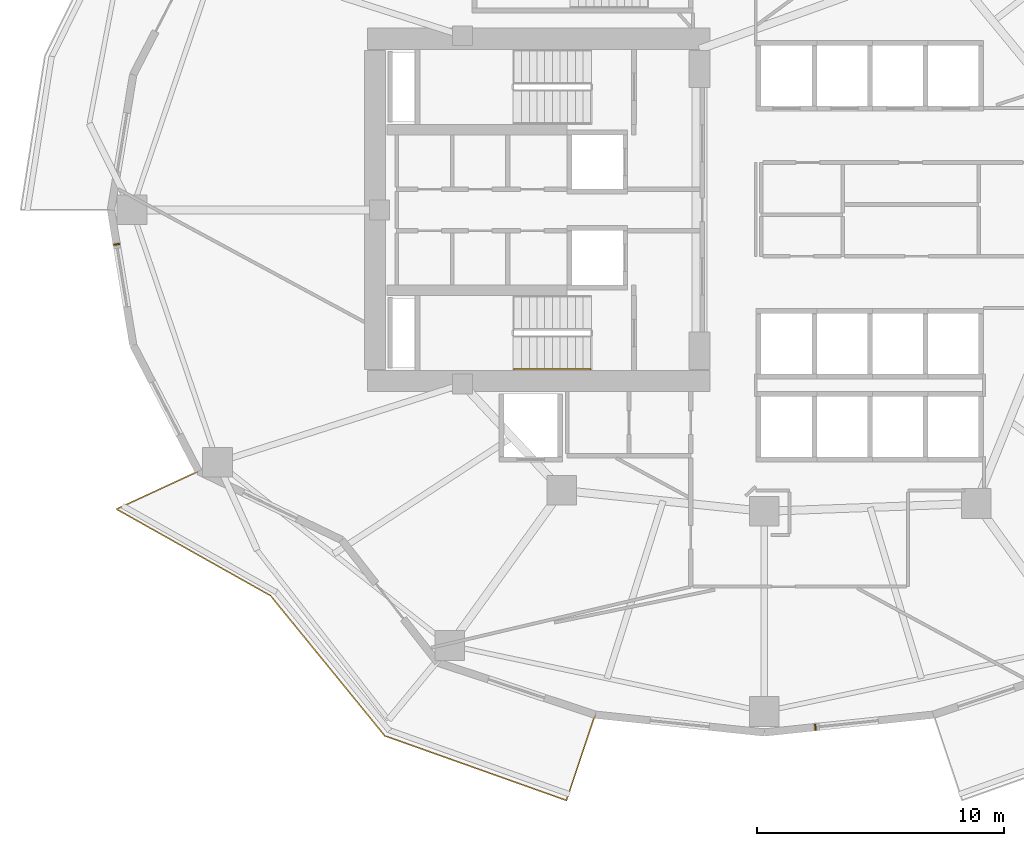
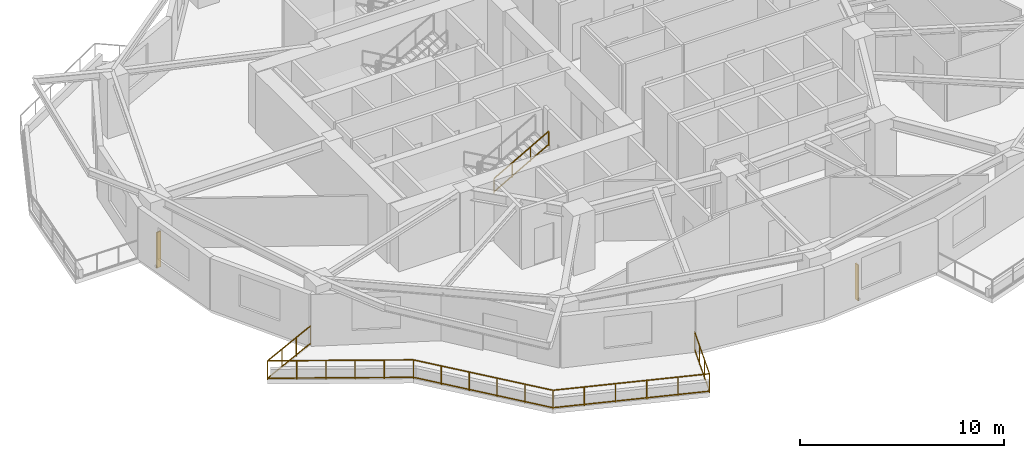
# One storey, part 8 of 11: 2 railings, 2 shading devices.
"""IFC4 building model written with IfcOpenShell, lengths in metres."""

import ifcopenshell
import ifcopenshell.guid

model = None  # the IFC model being written
_history = None  # IfcOwnerHistory: only IFC2X3 demands one
_inside = {}  # id of a spatial element -> (the spatial element, [elements in it])
_under = {}  # id of a project, library or spatial element -> (it, [spatial elements below it])
_declared = {}  # id of a project -> (the project, [libraries it declares])
_typed = {}  # id of a type object -> (the type object, [elements of that type])
_made_of = {}  # id of a material, layer set ... -> (it, [elements and type objects made of it])


def new_model(schema):
    """Start an empty IFC model of exactly this schema.

    Asked for "IFC4X3", IfcOpenShell would pick the latest addendum, in which some entities
    have other attributes; the version numbers below select the first issue.
    IFC2X3 requires an IfcOwnerHistory on every rooted entity: one is made here for all.
    """
    global model, _history
    if schema == "IFC4X3":
        model = ifcopenshell.file(schema_version=(4, 3, 0, 0))
    else:
        model = ifcopenshell.file(schema=schema)
    _inside.clear()
    _under.clear()
    _declared.clear()
    _typed.clear()
    _made_of.clear()
    _history = None
    if model.schema == "IFC2X3":
        org = make("IfcOrganization", Name="unknown")
        user = make(
            "IfcPersonAndOrganization",
            ThePerson=make("IfcPerson", FamilyName="unknown"),
            TheOrganization=org,
        )
        app = make(
            "IfcApplication",
            ApplicationDeveloper=org,
            Version="unknown",
            ApplicationFullName="unknown",
            ApplicationIdentifier="unknown",
        )
        _history = make(
            "IfcOwnerHistory",
            OwningUser=user,
            OwningApplication=app,
            ChangeAction="ADDED",
            CreationDate=0,
        )
    return model


def make(cls, **values):
    """One entity of the class cls with the attributes given. An attribute that is None is left unset."""
    return model.create_entity(
        cls, **{name: value for name, value in values.items() if value is not None}
    )


def rooted(cls, **values):
    """An entity with a GlobalId (a new one), such as an element, a storey or a relation."""
    return make(cls, GlobalId=ifcopenshell.guid.new(), OwnerHistory=_history, **values)


def si_unit(unit_type, name, prefix=None):
    """IfcSIUnit, for example si_unit("LENGTHUNIT", "METRE", prefix="MILLI")."""
    return make("IfcSIUnit", UnitType=unit_type, Prefix=prefix, Name=name)


def assignment(units):
    """IfcUnitAssignment: the units of a project."""
    return None if units is None else make("IfcUnitAssignment", Units=units)


def point(xyz):
    """IfcCartesianPoint."""
    return None if xyz is None else make("IfcCartesianPoint", Coordinates=xyz)


def direction(xyz):
    """IfcDirection."""
    return None if xyz is None else make("IfcDirection", DirectionRatios=xyz)


def frame(location, z_axis=None, x_axis=None):
    """IfcAxis2Placement3D, a coordinate frame: its origin and axes. An axis left out is left unset."""
    return make(
        "IfcAxis2Placement3D",
        Location=point(location),
        Axis=direction(z_axis),
        RefDirection=direction(x_axis),
    )


def frame_2d(location, x_axis=None):
    """IfcAxis2Placement2D, a coordinate frame in the plane: its origin and x axis."""
    return make(
        "IfcAxis2Placement2D", Location=point(location), RefDirection=direction(x_axis)
    )


def origin():
    """The frame at (0, 0, 0) with its axes left unset."""
    return frame((0.0, 0.0, 0.0))


def origin_2d():
    """The frame at (0, 0) in the plane with its x axis left unset."""
    return frame_2d((0.0, 0.0))


def place(relative_to, where):
    """IfcLocalPlacement: puts the frame where relative to a parent placement (None: the world)."""
    return make(
        "IfcLocalPlacement", PlacementRelTo=relative_to, RelativePlacement=where
    )


def context(
    kind, dimensions, precision=None, world=None, true_north=None, identifier=None
):
    """IfcGeometricRepresentationContext, for example the 3D "Model" context."""
    return make(
        "IfcGeometricRepresentationContext",
        ContextIdentifier=identifier,
        ContextType=kind,
        CoordinateSpaceDimension=dimensions,
        Precision=precision,
        WorldCoordinateSystem=world,
        TrueNorth=true_north,
    )


def subcontext(parent, identifier, kind, view, scale=None):
    """IfcGeometricRepresentationSubContext, for example "Body" below "Model"."""
    return make(
        "IfcGeometricRepresentationSubContext",
        ContextIdentifier=identifier,
        ContextType=kind,
        ParentContext=parent,
        TargetScale=scale,
        TargetView=view,
    )


def project(units=None, contexts=None):
    """IfcProject with its units and contexts."""
    return rooted(
        "IfcProject",
        Name="project",
        RepresentationContexts=contexts,
        UnitsInContext=assignment(units),
    )


def spatial(cls, under=None, at=None, **own):
    """A site, building, storey or space (cls), placed at a placement, below another one or the project."""
    s = rooted(cls, ObjectPlacement=at, **own)
    if under is not None:
        _under.setdefault(under.id(), (under, []))[1].append(s)
    return s


def profile(cls, at=None, kind="AREA", **sizes):
    """A parametric profile (cls). Its sizes go by their IFC names, for example OverallWidth=200.0."""
    return make(cls, ProfileType=kind, Position=at, **sizes)


def rectangle(**sizes):
    """IfcRectangleProfileDef."""
    return profile("IfcRectangleProfileDef", **sizes)


def extrude(swept, where, along, depth):
    """IfcExtrudedAreaSolid: the profile swept, set in the frame where, extruded along a direction by depth."""
    return make(
        "IfcExtrudedAreaSolid",
        SweptArea=swept,
        Position=where,
        ExtrudedDirection=direction(along),
        Depth=depth,
    )


def shape(context_of_items, identifier, shape_type, items):
    """IfcShapeRepresentation: the items that make up one representation, for example the "Body"."""
    return make(
        "IfcShapeRepresentation",
        ContextOfItems=context_of_items,
        RepresentationIdentifier=identifier,
        RepresentationType=shape_type,
        Items=items,
    )


def material(Name=None, Category=None):
    """IfcMaterial."""
    return make("IfcMaterial", Name=Name, Category=Category)


def made_of(thing, what):
    """Note that an element or type object is made of a material, layer set ...; save() writes the relation."""
    if what is not None:
        _made_of.setdefault(what.id(), (what, []))[1].append(thing)
    return thing


def type_object(cls, material=None, **own):
    """A type object (cls), such as IfcWallType, which elements share."""
    return made_of(rooted(cls, **own), material)


def element(
    cls,
    number,
    at=None,
    inside=None,
    cuts=None,
    type_object=None,
    material=None,
    context=None,
    identifier="Body",
    shape_type=None,
    held_by="IfcProductDefinitionShape",
    body=None,
    shapes=None,
    **own,
):
    """One element of the class cls, such as IfcWall. Its Tag is "e" and its number.

    at: its placement. inside: the storey or other place that contains it. cuts: it is an
    opening in that element (IfcRelVoidsElement). A single representation is given by context,
    identifier, shape_type and body (its items); several are given by shapes. held_by: the class
    of the entity that holds the representations. save() writes the other relations.
    """
    e = rooted(cls, Tag="e%d" % number, ObjectPlacement=at, **own)
    if body is not None:
        shapes = [shape(context, identifier, shape_type, body)]
    if shapes is not None:
        e.Representation = make(held_by, Representations=shapes)
    if inside is not None:
        _inside.setdefault(inside.id(), (inside, []))[1].append(e)
    if cuts is not None:
        rooted(
            "IfcRelVoidsElement", RelatingBuildingElement=cuts, RelatedOpeningElement=e
        )
    if type_object is not None:
        _typed.setdefault(type_object.id(), (type_object, []))[1].append(e)
    return made_of(e, material)


def aggregate(whole, parts):
    """IfcRelAggregates: a whole, such as a stair, and the parts it consists of."""
    return rooted("IfcRelAggregates", RelatingObject=whole, RelatedObjects=parts)


def save(model, path):
    """Write the relations noted so far, then the file.

    IfcRelAggregates (storeys below a building ...), IfcRelContainedInSpatialStructure (elements
    in a storey), IfcRelDefinesByType, IfcRelAssociatesMaterial and IfcRelDeclares: one each for
    every whole, place, type object, material and project.
    """
    for whole, parts in _under.values():
        aggregate(whole, parts)
    for where, things in _inside.values():
        rooted(
            "IfcRelContainedInSpatialStructure",
            RelatedElements=things,
            RelatingStructure=where,
        )
    for kind, things in _typed.values():
        rooted("IfcRelDefinesByType", RelatedObjects=things, RelatingType=kind)
    for what, things in _made_of.values():
        rooted("IfcRelAssociatesMaterial", RelatedObjects=things, RelatingMaterial=what)
    for by, libraries in _declared.values():
        rooted("IfcRelDeclares", RelatingContext=by, RelatedDefinitions=libraries)
    model.write(path)


model = new_model("IFC4")

# Units and contexts
model_context = context("Model", 3, precision=1e-05, world=origin(), true_north=direction((0.0, 1.0)))
body_context = subcontext(model_context, "Body", "Model", "MODEL_VIEW")
ifc_project = project(units=[si_unit("LENGTHUNIT", "METRE"), si_unit("AREAUNIT", "SQUARE_METRE"), si_unit("VOLUMEUNIT", "CUBIC_METRE"), si_unit("PLANEANGLEUNIT", "RADIAN"), si_unit("MASSUNIT", "GRAM", prefix="KILO")], contexts=[model_context])

# Site, building, storey
site_placement = place(None, origin())
site = spatial("IfcSite", under=ifc_project, at=site_placement, CompositionType="ELEMENT")
building_placement = place(site_placement, origin())
building = spatial("IfcBuilding", under=site, at=building_placement, Name="Kolvaren Gate Tower and Convention Centre", CompositionType="ELEMENT")
storey_placement = place(building_placement, frame((0.0, 0.0, 88.10009765625)))
storey = spatial("IfcBuildingStorey", under=building, at=storey_placement, Name="L21", CompositionType="ELEMENT", Elevation=88.10009765625)

# Railings
ifc_material_1 = material(Name="Brushed Stainless Steel Grade 316L", Category="steel")
railing_type_1 = type_object("IfcRailingType", Name="ARCH-RL-GUARD-1150", PredefinedType="GUARDRAIL", material=ifc_material_1)
railing_1_placement = place(storey_placement, frame((7.2294921875, 16.425048828125, 0.0)))
element("IfcRailing", 1, at=railing_1_placement, inside=storey, type_object=railing_type_1, Name="Tower L21 Terrace Perimeter Guardrail GR-3", PredefinedType="GUARDRAIL", context=body_context, shape_type="SweptSolid", body=[
    extrude(rectangle(XDim=0.048095703125, YDim=0.048095703125, at=origin_2d()), frame((-0.025390625, -0.01171875, 1.1259765625), z_axis=(-0.907846116663, -0.419303503993, 0.0), x_axis=(0.419303503993, -0.907846116663, 0.0)), (0.0, 0.0, 1.0), 3.60400390625),
    extrude(rectangle(XDim=0.048095703125, YDim=0.048095703125, at=origin_2d()), frame((-0.025390625, -0.01171875, 0.083984375), z_axis=(-0.907846116663, -0.419303503993, 0.0), x_axis=(0.419303503993, -0.907846116663, 0.0)), (0.0, 0.0, 1.0), 3.60400390625),
    extrude(rectangle(XDim=0.048095703125, YDim=0.048095703125, at=origin_2d()), frame((-3.29833984375, -1.54833984375, 1.1259765625), z_axis=(0.871783301661, -0.489891697159, 0.0), x_axis=(0.489891697159, 0.871783301661, 0.0)), (0.0, 0.0, 1.0), 7.096435546875),
    extrude(rectangle(XDim=0.048095703125, YDim=0.048095703125, at=origin_2d()), frame((-3.29833984375, -1.54833984375, 0.083984375), z_axis=(0.871783301661, -0.489891697159, 0.0), x_axis=(0.489891697159, 0.871783301661, 0.0)), (0.0, 0.0, 1.0), 7.096435546875),
    extrude(rectangle(XDim=0.048095703125, YDim=0.048095703125, at=origin_2d()), frame((2.930419921875, -5.060302734375, 1.1259765625), z_axis=(0.631819273026, -0.775115737315, 0.0), x_axis=(0.775115737315, 0.631819273026, 0.0)), (0.0, 0.0, 1.0), 7.259765625),
    extrude(rectangle(XDim=0.048095703125, YDim=0.048095703125, at=origin_2d()), frame((2.930419921875, -5.060302734375, 0.083984375), z_axis=(0.631819273026, -0.775115737315, 0.0), x_axis=(0.775115737315, 0.631819273026, 0.0)), (0.0, 0.0, 1.0), 7.259765625),
    extrude(rectangle(XDim=0.048095703125, YDim=0.048095703125, at=origin_2d()), frame((7.561279296875, -10.718505859375, 1.1259765625), z_axis=(0.942200211781, -0.335050385643, 0.0), x_axis=(0.335050385643, 0.942200211781, 0.0)), (0.0, 0.0, 1.0), 7.7509765625),
    extrude(rectangle(XDim=0.048095703125, YDim=0.048095703125, at=origin_2d()), frame((7.561279296875, -10.718505859375, 0.083984375), z_axis=(0.942200211781, -0.335050385643, 0.0), x_axis=(0.335050385643, 0.942200211781, 0.0)), (0.0, 0.0, 1.0), 7.7509765625),
    extrude(rectangle(XDim=0.048095703125, YDim=0.048095703125, at=origin_2d()), frame((14.8994140625, -13.29833984375, 1.1259765625), z_axis=(0.317568160167, 0.94823544737, 0.0), x_axis=(-0.94823544737, 0.317568160167, 0.0)), (0.0, 0.0, 1.0), 3.60400390625),
    extrude(rectangle(XDim=0.048095703125, YDim=0.048095703125, at=origin_2d()), frame((14.8994140625, -13.29833984375, 0.083984375), z_axis=(0.317568160167, 0.94823544737, 0.0), x_axis=(-0.94823544737, 0.317568160167, 0.0)), (0.0, 0.0, 1.0), 3.60400390625),
    extrude(rectangle(XDim=0.0419921875, YDim=0.0419921875, at=origin_2d()), origin(), (0.0, 0.0, 1.0), 1.14990234375),
    extrude(rectangle(XDim=0.0419921875, YDim=0.0419921875, at=origin_2d()), frame((-3.32275390625, -1.53466796875, 0.0)), (0.0, 0.0, 1.0), 1.14990234375),
    extrude(rectangle(XDim=0.0419921875, YDim=0.0419921875, at=origin_2d()), frame((-1.107666015625, -0.511474609375, 0.0)), (0.0, 0.0, 1.0), 1.099853515625),
    extrude(rectangle(XDim=0.0419921875, YDim=0.0419921875, at=origin_2d()), frame((-2.215087890625, -1.023193359375, 0.0)), (0.0, 0.0, 1.0), 1.099853515625),
    extrude(rectangle(XDim=0.0419921875, YDim=0.0419921875, at=origin_2d()), frame((2.91259765625, -5.03857421875, 0.0)), (0.0, 0.0, 1.0), 1.14990234375),
    extrude(rectangle(XDim=0.0419921875, YDim=0.0419921875, at=origin_2d()), frame((-2.07568359375, -2.2353515625, 0.0)), (0.0, 0.0, 1.0), 1.099853515625),
    extrude(rectangle(XDim=0.0419921875, YDim=0.0419921875, at=origin_2d()), frame((-0.82861328125, -2.936279296875, 0.0)), (0.0, 0.0, 1.0), 1.099853515625),
    extrude(rectangle(XDim=0.0419921875, YDim=0.0419921875, at=origin_2d()), frame((0.41845703125, -3.636962890625, 0.0)), (0.0, 0.0, 1.0), 1.099853515625),
    extrude(rectangle(XDim=0.0419921875, YDim=0.0419921875, at=origin_2d()), frame((1.66552734375, -4.337890625, 0.0)), (0.0, 0.0, 1.0), 1.099853515625),
    extrude(rectangle(XDim=0.0419921875, YDim=0.0419921875, at=origin_2d()), frame((7.534912109375, -10.709228515625, 0.0)), (0.0, 0.0, 1.0), 1.14990234375),
    extrude(rectangle(XDim=0.0419921875, YDim=0.0419921875, at=origin_2d()), frame((3.837158203125, -6.172607421875, 0.0)), (0.0, 0.0, 1.0), 1.099853515625),
    extrude(rectangle(XDim=0.0419921875, YDim=0.0419921875, at=origin_2d()), frame((4.761474609375, -7.306884765625, 0.0)), (0.0, 0.0, 1.0), 1.099853515625),
    extrude(rectangle(XDim=0.0419921875, YDim=0.0419921875, at=origin_2d()), frame((5.68603515625, -8.44091796875, 0.0)), (0.0, 0.0, 1.0), 1.099853515625),
    extrude(rectangle(XDim=0.0419921875, YDim=0.0419921875, at=origin_2d()), frame((6.6103515625, -9.5751953125, 0.0)), (0.0, 0.0, 1.0), 1.099853515625),
    extrude(rectangle(XDim=0.0419921875, YDim=0.0419921875, at=origin_2d()), frame((14.890625, -13.324951171875, 0.0)), (0.0, 0.0, 1.0), 1.14990234375),
    extrude(rectangle(XDim=0.0419921875, YDim=0.0419921875, at=origin_2d()), frame((9.006103515625, -11.232421875, 0.0)), (0.0, 0.0, 1.0), 1.099853515625),
    extrude(rectangle(XDim=0.0419921875, YDim=0.0419921875, at=origin_2d()), frame((10.477294921875, -11.755615234375, 0.0)), (0.0, 0.0, 1.0), 1.099853515625),
    extrude(rectangle(XDim=0.0419921875, YDim=0.0419921875, at=origin_2d()), frame((11.9482421875, -12.278564453125, 0.0)), (0.0, 0.0, 1.0), 1.099853515625),
    extrude(rectangle(XDim=0.0419921875, YDim=0.0419921875, at=origin_2d()), frame((13.41943359375, -12.8017578125, 0.0)), (0.0, 0.0, 1.0), 1.099853515625),
    extrude(rectangle(XDim=0.0419921875, YDim=0.0419921875, at=origin_2d()), frame((16.052978515625, -9.854248046875, 0.0)), (0.0, 0.0, 1.0), 1.14990234375),
    extrude(rectangle(XDim=0.0419921875, YDim=0.0419921875, at=origin_2d()), frame((15.278076171875, -12.16796875, 0.0)), (0.0, 0.0, 1.0), 1.099853515625),
    extrude(rectangle(XDim=0.0419921875, YDim=0.0419921875, at=origin_2d()), frame((15.66552734375, -11.01123046875, 0.0)), (0.0, 0.0, 1.0), 1.099853515625),
])
railing_type_2 = type_object("IfcRailingType", Name="ARCH-RL-HANDRAIL-920", PredefinedType="HANDRAIL", material=ifc_material_1)
railing_2_placement = place(storey_placement, frame((20.0, 20.550048828125, 2.099853515625)))
element("IfcRailing", 2, at=railing_2_placement, inside=storey, type_object=railing_type_2, Name="L21 ST-T2 stair handrail 2", PredefinedType="HANDRAIL", context=body_context, shape_type="SweptSolid", body=[
    extrude(rectangle(XDim=0.048095703125, YDim=0.048095703125, at=origin_2d()), frame((0.0, 0.0, 0.8759765625), z_axis=(0.870830938388, 0.0, 0.491582624537), x_axis=(0.0, 1.0, 0.0)), (0.0, 0.0, 1.0), 3.559814453125),
    extrude(rectangle(XDim=0.048095703125, YDim=0.048095703125, at=origin_2d()), frame((0.0, 0.0, 0.083984375), z_axis=(0.870830938388, 0.0, 0.491582624537), x_axis=(0.0, 1.0, 0.0)), (0.0, 0.0, 1.0), 3.559814453125),
    extrude(rectangle(XDim=0.0419921875, YDim=0.0419921875, at=origin_2d()), origin(), (0.0, 0.0, 1.0), 0.849853515625),
    extrude(rectangle(XDim=0.0419921875, YDim=0.0419921875, at=origin_2d()), frame((3.10009765625, 0.0, 1.75)), (0.0, 0.0, 1.0), 0.849853515625),
    extrude(rectangle(XDim=0.0419921875, YDim=0.0419921875, at=origin_2d()), frame((1.033447265625, 0.0, 0.583251953125)), (0.0, 0.0, 1.0), 0.849853515625),
    extrude(rectangle(XDim=0.0419921875, YDim=0.0419921875, at=origin_2d()), frame((2.066650390625, 0.0, 1.166748046875)), (0.0, 0.0, 1.0), 0.849853515625),
])

# Shading devices
ifc_material_2 = material(Name="Kiln-Fired Bogota Terracotta Ceramic Louvre Profile", Category="masonry")
shading_device_type = type_object("IfcShadingDeviceType", Name="ARCH-SHD-FIN-180", PredefinedType="JALOUSIE", material=ifc_material_2)
for number, where, z_axis, x_axis, name in (
    (3, (3.9169921875, 25.604736328125, 0.219970703125), (0.0, 0.0, 1.0), (0.162375401515, -0.986729055508, 0.0), "Ceramic Vertical Brise-Soleil Fin FN-L21-12"),
    (4, (32.193603515625, 6.06787109375, 0.219970703125), (0.0, 0.0, 1.0), (0.994498884311, 0.104747167526, 0.0), "Ceramic Vertical Brise-Soleil Fin FN-L21-18"),
):
    element("IfcShadingDevice", number, at=place(storey_placement, frame(where, z_axis=z_axis, x_axis=x_axis)), inside=storey, type_object=shading_device_type, Name=name, PredefinedType="JALOUSIE", context=body_context, shape_type="SweptSolid", body=[
        extrude(rectangle(XDim=0.06005859375, YDim=0.239990234375, at=origin_2d()), origin(), (0.0, 0.0, 1.0), 2.14990234375),
    ])

save(model, "model.ifc")
